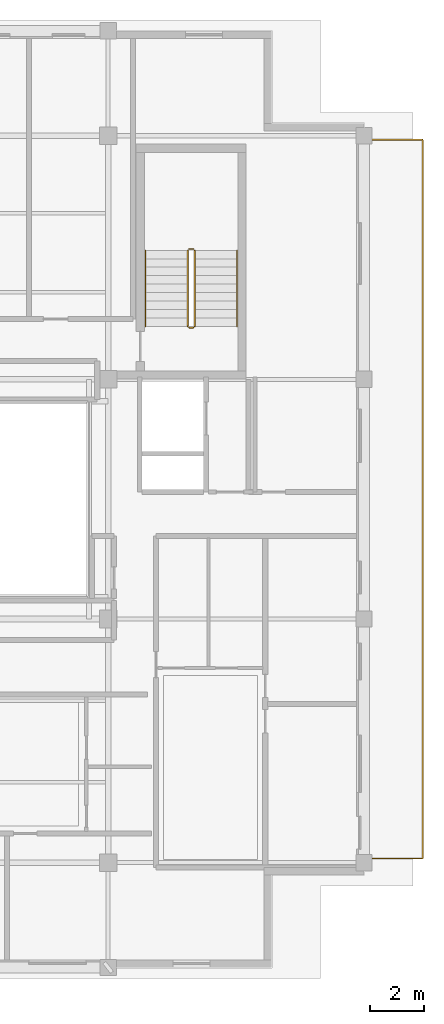
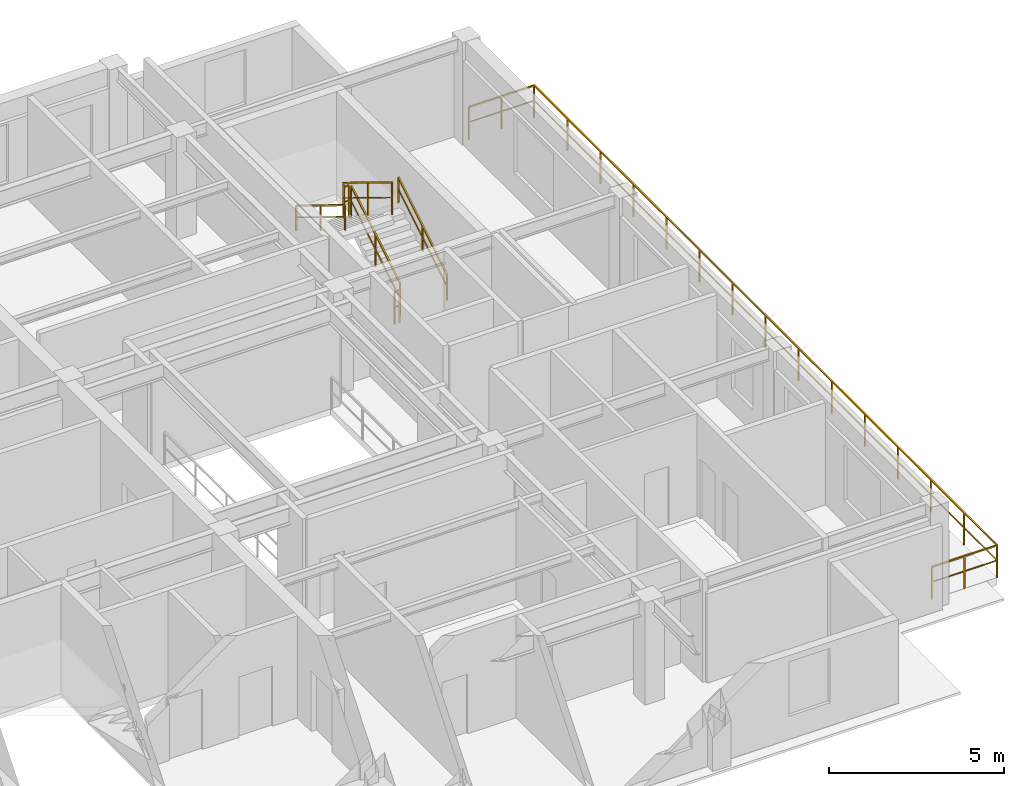
# One storey, part 9 of 9: 7 railings.
"""IFC4 building model written with IfcOpenShell, lengths in metres."""

from ifc_helpers import new_model, si_unit, direction, frame, origin, origin_2d, place, context, subcontext, project, spatial, rectangle, extrude, material, type_object, element, save


model = new_model("IFC4")

# Units and contexts
model_context = context("Model", 3, precision=1e-05, world=origin(), true_north=direction((0.0, 1.0)))
body_context = subcontext(model_context, "Body", "Model", "MODEL_VIEW")
ifc_project = project(units=[si_unit("LENGTHUNIT", "METRE"), si_unit("AREAUNIT", "SQUARE_METRE"), si_unit("VOLUMEUNIT", "CUBIC_METRE"), si_unit("PLANEANGLEUNIT", "RADIAN"), si_unit("MASSUNIT", "GRAM", prefix="KILO")], contexts=[model_context])

# Site, building, storey
site_placement = place(None, origin())
site = spatial("IfcSite", under=ifc_project, at=site_placement, CompositionType="ELEMENT")
building_placement = place(site_placement, origin())
building = spatial("IfcBuilding", under=site, at=building_placement, Name="Kundavana Baori Tower", CompositionType="ELEMENT")
storey_placement = place(building_placement, frame((0.0, 0.0, 335.300048828125)))
storey = spatial("IfcBuildingStorey", under=building, at=storey_placement, Name="L83", CompositionType="ELEMENT", Elevation=335.300048828125)

# Railings
ifc_material_1 = material(Name="Architectural Patinated Bronze Metalwork")
railing_type_1 = type_object("IfcRailingType", Name="RL-BAL-1150", PredefinedType="BALUSTRADE", material=ifc_material_1)
railing_1_placement = place(storey_placement, frame((43.199951171875, 41.800048828125, 0.0)))
element("IfcRailing", 1, at=railing_1_placement, inside=storey, type_object=railing_type_1, Name="L83 Sky Terrace Guard Balustrade E", PredefinedType="BALUSTRADE", context=body_context, shape_type="SweptSolid", body=[
    extrude(rectangle(XDim=0.048095703125, YDim=0.048095703125, at=origin_2d()), frame((0.0, 0.0, 1.1259765625), z_axis=(1.0, 0.0, 0.0), x_axis=(0.0, 1.0, 0.0)), (0.0, 0.0, 1.0), 2.150146484375),
    extrude(rectangle(XDim=0.03125, YDim=0.03125, at=origin_2d()), frame((0.0, 0.0, 0.597900390625), z_axis=(1.0, 0.0, 0.0), x_axis=(0.0, 1.0, 0.0)), (0.0, 0.0, 1.0), 2.150146484375),
    extrude(rectangle(XDim=0.048095703125, YDim=0.048095703125, at=origin_2d()), frame((2.150146484375, 0.0, 1.1259765625), z_axis=(0.0, -1.0, 0.0), x_axis=(1.0, 0.0, 0.0)), (0.0, 0.0, 1.0), 26.400146484375),
    extrude(rectangle(XDim=0.03125, YDim=0.03125, at=origin_2d()), frame((2.150146484375, 0.0, 0.597900390625), z_axis=(0.0, -1.0, 0.0), x_axis=(1.0, 0.0, 0.0)), (0.0, 0.0, 1.0), 26.400146484375),
    extrude(rectangle(XDim=0.048095703125, YDim=0.048095703125, at=origin_2d()), frame((2.150146484375, -26.400146484375, 1.1259765625), z_axis=(-1.0, 0.0, 0.0), x_axis=(0.0, -1.0, 0.0)), (0.0, 0.0, 1.0), 2.150146484375),
    extrude(rectangle(XDim=0.03125, YDim=0.03125, at=origin_2d()), frame((2.150146484375, -26.400146484375, 0.597900390625), z_axis=(-1.0, 0.0, 0.0), x_axis=(0.0, -1.0, 0.0)), (0.0, 0.0, 1.0), 2.150146484375),
    extrude(rectangle(XDim=0.0419921875, YDim=0.0419921875, at=origin_2d()), origin(), (0.0, 0.0, 1.0), 1.101806640625),
    extrude(rectangle(XDim=0.0419921875, YDim=0.0419921875, at=origin_2d()), frame((1.0751953125, 0.0, 0.0)), (0.0, 0.0, 1.0), 1.101806640625),
    extrude(rectangle(XDim=0.0419921875, YDim=0.0419921875, at=origin_2d()), frame((2.150146484375, 0.0, 0.0)), (0.0, 0.0, 1.0), 1.101806640625),
    extrude(rectangle(XDim=0.0419921875, YDim=0.0419921875, at=origin_2d()), frame((2.150146484375, -1.8857421875, 0.0)), (0.0, 0.0, 1.0), 1.101806640625),
    extrude(rectangle(XDim=0.0419921875, YDim=0.0419921875, at=origin_2d()), frame((2.150146484375, -3.771484375, 0.0)), (0.0, 0.0, 1.0), 1.101806640625),
    extrude(rectangle(XDim=0.0419921875, YDim=0.0419921875, at=origin_2d()), frame((2.150146484375, -5.6572265625, 0.0)), (0.0, 0.0, 1.0), 1.101806640625),
    extrude(rectangle(XDim=0.0419921875, YDim=0.0419921875, at=origin_2d()), frame((2.150146484375, -7.54296875, 0.0)), (0.0, 0.0, 1.0), 1.101806640625),
    extrude(rectangle(XDim=0.0419921875, YDim=0.0419921875, at=origin_2d()), frame((2.150146484375, -9.4287109375, 0.0)), (0.0, 0.0, 1.0), 1.101806640625),
    extrude(rectangle(XDim=0.0419921875, YDim=0.0419921875, at=origin_2d()), frame((2.150146484375, -11.314453125, 0.0)), (0.0, 0.0, 1.0), 1.101806640625),
    extrude(rectangle(XDim=0.0419921875, YDim=0.0419921875, at=origin_2d()), frame((2.150146484375, -13.2001953125, 0.0)), (0.0, 0.0, 1.0), 1.101806640625),
    extrude(rectangle(XDim=0.0419921875, YDim=0.0419921875, at=origin_2d()), frame((2.150146484375, -15.085693359375, 0.0)), (0.0, 0.0, 1.0), 1.101806640625),
    extrude(rectangle(XDim=0.0419921875, YDim=0.0419921875, at=origin_2d()), frame((2.150146484375, -16.971435546875, 0.0)), (0.0, 0.0, 1.0), 1.101806640625),
    extrude(rectangle(XDim=0.0419921875, YDim=0.0419921875, at=origin_2d()), frame((2.150146484375, -18.857177734375, 0.0)), (0.0, 0.0, 1.0), 1.101806640625),
    extrude(rectangle(XDim=0.0419921875, YDim=0.0419921875, at=origin_2d()), frame((2.150146484375, -20.742919921875, 0.0)), (0.0, 0.0, 1.0), 1.101806640625),
    extrude(rectangle(XDim=0.0419921875, YDim=0.0419921875, at=origin_2d()), frame((2.150146484375, -22.628662109375, 0.0)), (0.0, 0.0, 1.0), 1.101806640625),
    extrude(rectangle(XDim=0.0419921875, YDim=0.0419921875, at=origin_2d()), frame((2.150146484375, -24.514404296875, 0.0)), (0.0, 0.0, 1.0), 1.101806640625),
    extrude(rectangle(XDim=0.0419921875, YDim=0.0419921875, at=origin_2d()), frame((2.150146484375, -26.400146484375, 0.0)), (0.0, 0.0, 1.0), 1.101806640625),
    extrude(rectangle(XDim=0.0419921875, YDim=0.0419921875, at=origin_2d()), frame((1.0751953125, -26.400146484375, 0.0)), (0.0, 0.0, 1.0), 1.101806640625),
    extrude(rectangle(XDim=0.0419921875, YDim=0.0419921875, at=origin_2d()), frame((0.0, -26.400146484375, 0.0)), (0.0, 0.0, 1.0), 1.101806640625),
])
ifc_material_2 = material(Name="Architectural Patinated Bronze Metalwork")
railing_type_2 = type_object("IfcRailingType", Name="RL-GRD-1150", PredefinedType="GUARDRAIL", material=ifc_material_2)
railing_2_placement = place(storey_placement, frame((36.97998046875, 34.949951171875, 0.18994140625)))
element("IfcRailing", 2, at=railing_2_placement, inside=storey, type_object=railing_type_2, Name="L83 ST3 stair guard 1", PredefinedType="GUARDRAIL", context=body_context, shape_type="SweptSolid", body=[
    extrude(rectangle(XDim=0.048095703125, YDim=0.048095703125, at=origin_2d()), frame((0.0, 0.0, 1.1259765625), z_axis=(0.0, 0.852609830418, 0.522548061975), x_axis=(-1.0, 0.0, 0.0)), (0.0, 0.0, 1.0), 3.2724609375),
    extrude(rectangle(XDim=0.03125, YDim=0.03125, at=origin_2d()), frame((0.0, 0.0, 0.597900390625), z_axis=(0.0, 0.852609830418, 0.522548061975), x_axis=(-1.0, 0.0, 0.0)), (0.0, 0.0, 1.0), 3.2724609375),
    extrude(rectangle(XDim=0.0419921875, YDim=0.0419921875, at=origin_2d()), origin(), (0.0, 0.0, 1.0), 1.101806640625),
    extrude(rectangle(XDim=0.0419921875, YDim=0.0419921875, at=origin_2d()), frame((0.0, 1.39501953125, 0.85498046875)), (0.0, 0.0, 1.0), 1.101806640625),
    extrude(rectangle(XDim=0.0419921875, YDim=0.0419921875, at=origin_2d()), frame((0.0, 2.7900390625, 1.7099609375)), (0.0, 0.0, 1.0), 1.101806640625),
])
railing_3_placement = place(storey_placement, frame((36.929931640625, 37.7900390625, 1.89990234375)))
element("IfcRailing", 3, at=railing_3_placement, inside=storey, type_object=railing_type_2, Name="L83 ST3 stair guard 2", PredefinedType="GUARDRAIL", context=body_context, shape_type="SweptSolid", body=[
    extrude(rectangle(XDim=0.048095703125, YDim=0.048095703125, at=origin_2d()), frame((0.0, 0.0, 1.1259765625), z_axis=(-1.0, 0.0, 0.0), x_axis=(0.0, -1.0, 0.0)), (0.0, 0.0, 1.0), 0.159912109375),
    extrude(rectangle(XDim=0.03125, YDim=0.03125, at=origin_2d()), frame((0.0, 0.0, 0.597900390625), z_axis=(-1.0, 0.0, 0.0), x_axis=(0.0, -1.0, 0.0)), (0.0, 0.0, 1.0), 0.159912109375),
    extrude(rectangle(XDim=0.0419921875, YDim=0.0419921875, at=origin_2d()), origin(), (0.0, 0.0, 1.0), 1.101806640625),
    extrude(rectangle(XDim=0.0419921875, YDim=0.0419921875, at=origin_2d()), frame((-0.159912109375, 0.0, 0.0)), (0.0, 0.0, 1.0), 1.101806640625),
])
railing_4_placement = place(storey_placement, frame((36.719970703125, 37.739990234375, 2.08984375)))
element("IfcRailing", 4, at=railing_4_placement, inside=storey, type_object=railing_type_2, Name="L83 ST3 stair guard 3", PredefinedType="GUARDRAIL", context=body_context, shape_type="SweptSolid", body=[
    extrude(rectangle(XDim=0.048095703125, YDim=0.048095703125, at=origin_2d()), frame((0.0, 0.0, 1.1259765625), z_axis=(0.0, -0.852576590321, 0.522602293945), x_axis=(1.0, 0.0, 0.0)), (0.0, 0.0, 1.0), 3.2724609375),
    extrude(rectangle(XDim=0.03125, YDim=0.03125, at=origin_2d()), frame((0.0, 0.0, 0.597900390625), z_axis=(0.0, -0.852576590321, 0.522602293945), x_axis=(1.0, 0.0, 0.0)), (0.0, 0.0, 1.0), 3.2724609375),
    extrude(rectangle(XDim=0.0419921875, YDim=0.0419921875, at=origin_2d()), origin(), (0.0, 0.0, 1.0), 1.101806640625),
    extrude(rectangle(XDim=0.0419921875, YDim=0.0419921875, at=origin_2d()), frame((0.0, -1.39501953125, 0.85498046875)), (0.0, 0.0, 1.0), 1.101806640625),
    extrude(rectangle(XDim=0.0419921875, YDim=0.0419921875, at=origin_2d()), frame((0.0, -2.7900390625, 1.710205078125)), (0.0, 0.0, 1.0), 1.101806640625),
])
railing_5_placement = place(storey_placement, frame((36.929931640625, 34.89990234375, 0.0)))
element("IfcRailing", 5, at=railing_5_placement, inside=storey, type_object=railing_type_2, Name="L83 ST3 stair guard 4", PredefinedType="GUARDRAIL", context=body_context, shape_type="SweptSolid", body=[
    extrude(rectangle(XDim=0.048095703125, YDim=0.048095703125, at=origin_2d()), frame((0.0, 0.0, 1.1259765625), z_axis=(-1.0, 0.0, 0.0), x_axis=(0.0, -1.0, 0.0)), (0.0, 0.0, 1.0), 0.159912109375),
    extrude(rectangle(XDim=0.03125, YDim=0.03125, at=origin_2d()), frame((0.0, 0.0, 0.597900390625), z_axis=(-1.0, 0.0, 0.0), x_axis=(0.0, -1.0, 0.0)), (0.0, 0.0, 1.0), 0.159912109375),
    extrude(rectangle(XDim=0.0419921875, YDim=0.0419921875, at=origin_2d()), origin(), (0.0, 0.0, 1.0), 1.101806640625),
    extrude(rectangle(XDim=0.0419921875, YDim=0.0419921875, at=origin_2d()), frame((-0.159912109375, 0.0, 0.0)), (0.0, 0.0, 1.0), 1.101806640625),
])
ifc_material_3 = material(Name="Architectural Patinated Bronze Metalwork")
railing_type_3 = type_object("IfcRailingType", Name="RL-HND-920", PredefinedType="HANDRAIL", material=ifc_material_3)
railing_6_placement = place(storey_placement, frame((38.530029296875, 34.949951171875, 0.18994140625)))
element("IfcRailing", 6, at=railing_6_placement, inside=storey, type_object=railing_type_3, Name="L83 ST3 stair handrail 1", PredefinedType="HANDRAIL", context=body_context, shape_type="SweptSolid", body=[
    extrude(rectangle(XDim=0.048095703125, YDim=0.048095703125, at=origin_2d()), frame((0.0, 0.0, 0.8759765625), z_axis=(0.0, 0.852609830418, 0.522548061975), x_axis=(-1.0, 0.0, 0.0)), (0.0, 0.0, 1.0), 3.2724609375),
    extrude(rectangle(XDim=0.03125, YDim=0.03125, at=origin_2d()), frame((0.0, 0.0, 0.468017578125), z_axis=(0.0, 0.852609830418, 0.522548061975), x_axis=(-1.0, 0.0, 0.0)), (0.0, 0.0, 1.0), 3.2724609375),
    extrude(rectangle(XDim=0.0419921875, YDim=0.0419921875, at=origin_2d()), origin(), (0.0, 0.0, 1.0), 0.851806640625),
    extrude(rectangle(XDim=0.0419921875, YDim=0.0419921875, at=origin_2d()), frame((0.0, 1.39501953125, 0.85498046875)), (0.0, 0.0, 1.0), 0.851806640625),
    extrude(rectangle(XDim=0.0419921875, YDim=0.0419921875, at=origin_2d()), frame((0.0, 2.7900390625, 1.7099609375)), (0.0, 0.0, 1.0), 0.851806640625),
])
railing_7_placement = place(storey_placement, frame((35.169921875, 37.739990234375, 2.08984375)))
element("IfcRailing", 7, at=railing_7_placement, inside=storey, type_object=railing_type_3, Name="L83 ST3 stair handrail 2", PredefinedType="HANDRAIL", context=body_context, shape_type="SweptSolid", body=[
    extrude(rectangle(XDim=0.048095703125, YDim=0.048095703125, at=origin_2d()), frame((0.0, 0.0, 0.8759765625), z_axis=(0.0, -0.852576590321, 0.522602293945), x_axis=(1.0, 0.0, 0.0)), (0.0, 0.0, 1.0), 3.2724609375),
    extrude(rectangle(XDim=0.03125, YDim=0.03125, at=origin_2d()), frame((0.0, 0.0, 0.468017578125), z_axis=(0.0, -0.852576590321, 0.522602293945), x_axis=(1.0, 0.0, 0.0)), (0.0, 0.0, 1.0), 3.2724609375),
    extrude(rectangle(XDim=0.0419921875, YDim=0.0419921875, at=origin_2d()), origin(), (0.0, 0.0, 1.0), 0.851806640625),
    extrude(rectangle(XDim=0.0419921875, YDim=0.0419921875, at=origin_2d()), frame((0.0, -1.39501953125, 0.85498046875)), (0.0, 0.0, 1.0), 0.851806640625),
    extrude(rectangle(XDim=0.0419921875, YDim=0.0419921875, at=origin_2d()), frame((0.0, -2.7900390625, 1.710205078125)), (0.0, 0.0, 1.0), 0.851806640625),
])

save(model, "model.ifc")
